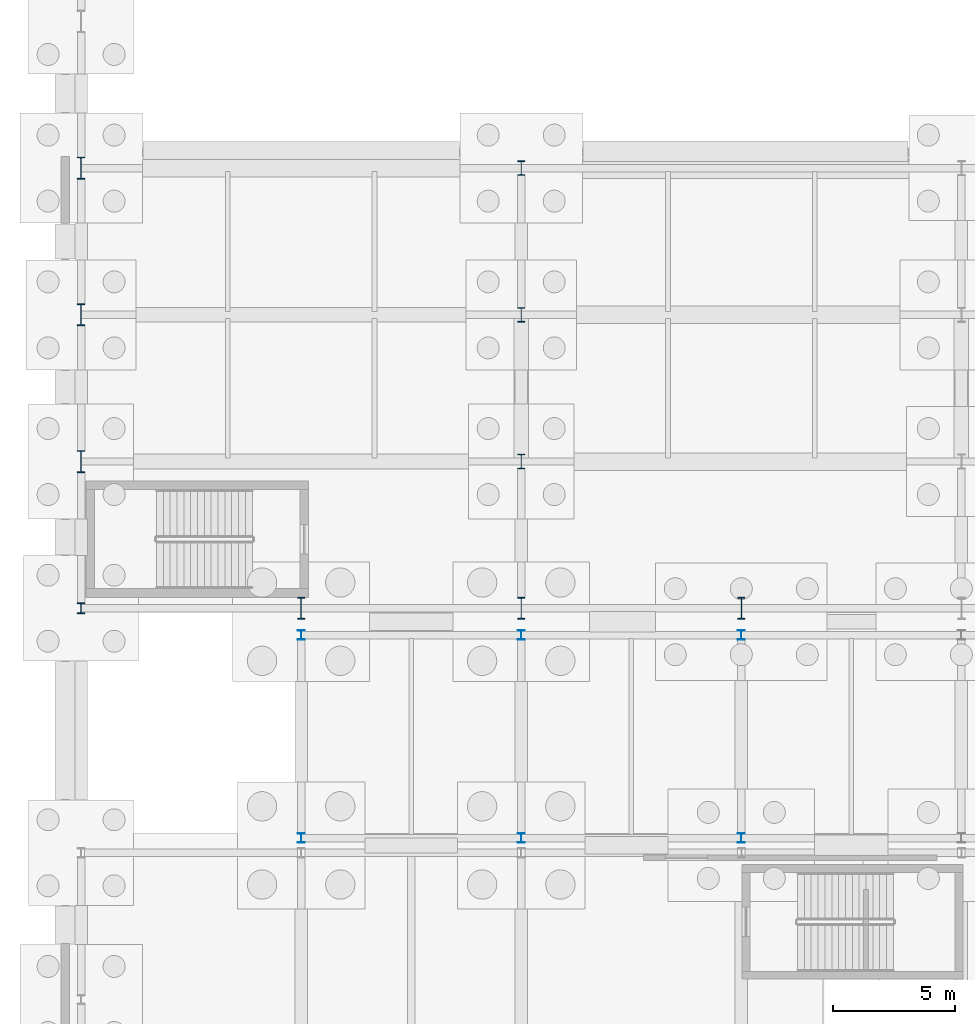
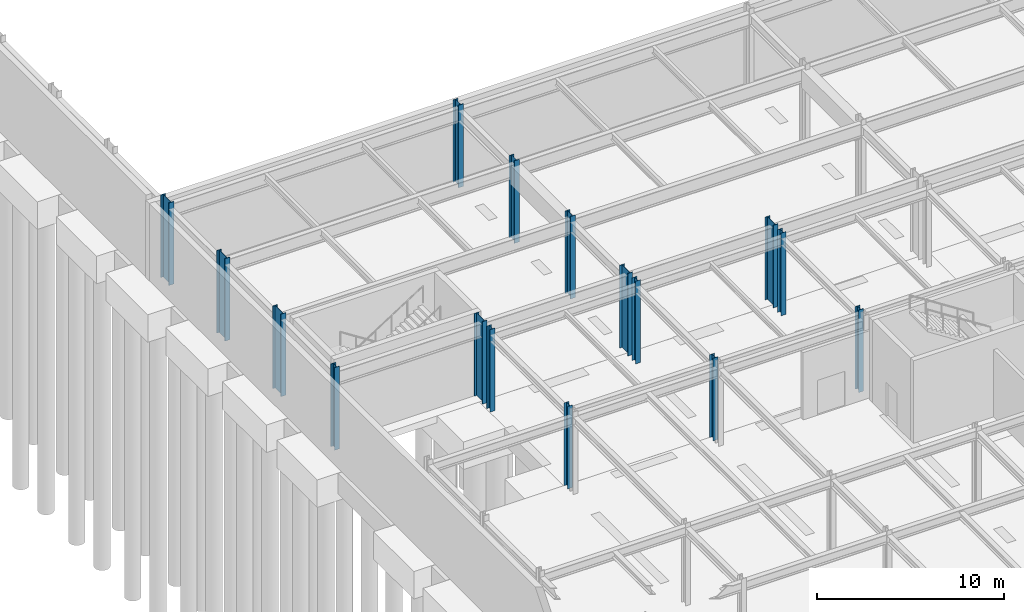
# One storey, part 15 of 65: 16 columns.
"""IFC4 building model written with IfcOpenShell, lengths in metres."""

import ifcopenshell
import ifcopenshell.guid

model = None  # the IFC model being written
_history = None  # IfcOwnerHistory: only IFC2X3 demands one
_inside = {}  # id of a spatial element -> (the spatial element, [elements in it])
_under = {}  # id of a project, library or spatial element -> (it, [spatial elements below it])
_declared = {}  # id of a project -> (the project, [libraries it declares])
_typed = {}  # id of a type object -> (the type object, [elements of that type])
_made_of = {}  # id of a material, layer set ... -> (it, [elements and type objects made of it])


def new_model(schema):
    """Start an empty IFC model of exactly this schema.

    Asked for "IFC4X3", IfcOpenShell would pick the latest addendum, in which some entities
    have other attributes; the version numbers below select the first issue.
    IFC2X3 requires an IfcOwnerHistory on every rooted entity: one is made here for all.
    """
    global model, _history
    if schema == "IFC4X3":
        model = ifcopenshell.file(schema_version=(4, 3, 0, 0))
    else:
        model = ifcopenshell.file(schema=schema)
    _inside.clear()
    _under.clear()
    _declared.clear()
    _typed.clear()
    _made_of.clear()
    _history = None
    if model.schema == "IFC2X3":
        org = make("IfcOrganization", Name="unknown")
        user = make(
            "IfcPersonAndOrganization",
            ThePerson=make("IfcPerson", FamilyName="unknown"),
            TheOrganization=org,
        )
        app = make(
            "IfcApplication",
            ApplicationDeveloper=org,
            Version="unknown",
            ApplicationFullName="unknown",
            ApplicationIdentifier="unknown",
        )
        _history = make(
            "IfcOwnerHistory",
            OwningUser=user,
            OwningApplication=app,
            ChangeAction="ADDED",
            CreationDate=0,
        )
    return model


def make(cls, **values):
    """One entity of the class cls with the attributes given. An attribute that is None is left unset."""
    return model.create_entity(
        cls, **{name: value for name, value in values.items() if value is not None}
    )


def rooted(cls, **values):
    """An entity with a GlobalId (a new one), such as an element, a storey or a relation."""
    return make(cls, GlobalId=ifcopenshell.guid.new(), OwnerHistory=_history, **values)


def si_unit(unit_type, name, prefix=None):
    """IfcSIUnit, for example si_unit("LENGTHUNIT", "METRE", prefix="MILLI")."""
    return make("IfcSIUnit", UnitType=unit_type, Prefix=prefix, Name=name)


def assignment(units):
    """IfcUnitAssignment: the units of a project."""
    return None if units is None else make("IfcUnitAssignment", Units=units)


def point(xyz):
    """IfcCartesianPoint."""
    return None if xyz is None else make("IfcCartesianPoint", Coordinates=xyz)


def direction(xyz):
    """IfcDirection."""
    return None if xyz is None else make("IfcDirection", DirectionRatios=xyz)


def frame(location, z_axis=None, x_axis=None):
    """IfcAxis2Placement3D, a coordinate frame: its origin and axes. An axis left out is left unset."""
    return make(
        "IfcAxis2Placement3D",
        Location=point(location),
        Axis=direction(z_axis),
        RefDirection=direction(x_axis),
    )


def frame_2d(location, x_axis=None):
    """IfcAxis2Placement2D, a coordinate frame in the plane: its origin and x axis."""
    return make(
        "IfcAxis2Placement2D", Location=point(location), RefDirection=direction(x_axis)
    )


def origin():
    """The frame at (0, 0, 0) with its axes left unset."""
    return frame((0.0, 0.0, 0.0))


def origin_2d():
    """The frame at (0, 0) in the plane with its x axis left unset."""
    return frame_2d((0.0, 0.0))


def place(relative_to, where):
    """IfcLocalPlacement: puts the frame where relative to a parent placement (None: the world)."""
    return make(
        "IfcLocalPlacement", PlacementRelTo=relative_to, RelativePlacement=where
    )


def context(
    kind, dimensions, precision=None, world=None, true_north=None, identifier=None
):
    """IfcGeometricRepresentationContext, for example the 3D "Model" context."""
    return make(
        "IfcGeometricRepresentationContext",
        ContextIdentifier=identifier,
        ContextType=kind,
        CoordinateSpaceDimension=dimensions,
        Precision=precision,
        WorldCoordinateSystem=world,
        TrueNorth=true_north,
    )


def subcontext(parent, identifier, kind, view, scale=None):
    """IfcGeometricRepresentationSubContext, for example "Body" below "Model"."""
    return make(
        "IfcGeometricRepresentationSubContext",
        ContextIdentifier=identifier,
        ContextType=kind,
        ParentContext=parent,
        TargetScale=scale,
        TargetView=view,
    )


def project(units=None, contexts=None):
    """IfcProject with its units and contexts."""
    return rooted(
        "IfcProject",
        Name="project",
        RepresentationContexts=contexts,
        UnitsInContext=assignment(units),
    )


def spatial(cls, under=None, at=None, **own):
    """A site, building, storey or space (cls), placed at a placement, below another one or the project."""
    s = rooted(cls, ObjectPlacement=at, **own)
    if under is not None:
        _under.setdefault(under.id(), (under, []))[1].append(s)
    return s


def profile(cls, at=None, kind="AREA", **sizes):
    """A parametric profile (cls). Its sizes go by their IFC names, for example OverallWidth=200.0."""
    return make(cls, ProfileType=kind, Position=at, **sizes)


def i_section(**sizes):
    """IfcIShapeProfileDef."""
    return profile("IfcIShapeProfileDef", **sizes)


def extrude(swept, where, along, depth):
    """IfcExtrudedAreaSolid: the profile swept, set in the frame where, extruded along a direction by depth."""
    return make(
        "IfcExtrudedAreaSolid",
        SweptArea=swept,
        Position=where,
        ExtrudedDirection=direction(along),
        Depth=depth,
    )


def shape(context_of_items, identifier, shape_type, items):
    """IfcShapeRepresentation: the items that make up one representation, for example the "Body"."""
    return make(
        "IfcShapeRepresentation",
        ContextOfItems=context_of_items,
        RepresentationIdentifier=identifier,
        RepresentationType=shape_type,
        Items=items,
    )


def material(Name=None, Category=None):
    """IfcMaterial."""
    return make("IfcMaterial", Name=Name, Category=Category)


def material_profile(
    of_material, cross_section, Name=None, Category=None, Priority=None
):
    """IfcMaterialProfile: a cross section and its material."""
    return make(
        "IfcMaterialProfile",
        Name=Name,
        Material=of_material,
        Profile=cross_section,
        Priority=Priority,
        Category=Category,
    )


def profile_set(profiles, Name=None, composite=None):
    """IfcMaterialProfileSet."""
    return make(
        "IfcMaterialProfileSet",
        Name=Name,
        MaterialProfiles=profiles,
        CompositeProfile=composite,
    )


def made_of(thing, what):
    """Note that an element or type object is made of a material, layer set ...; save() writes the relation."""
    if what is not None:
        _made_of.setdefault(what.id(), (what, []))[1].append(thing)
    return thing


def type_object(cls, material=None, **own):
    """A type object (cls), such as IfcWallType, which elements share."""
    return made_of(rooted(cls, **own), material)


def element(
    cls,
    number,
    at=None,
    inside=None,
    cuts=None,
    type_object=None,
    material=None,
    context=None,
    identifier="Body",
    shape_type=None,
    held_by="IfcProductDefinitionShape",
    body=None,
    shapes=None,
    **own,
):
    """One element of the class cls, such as IfcWall. Its Tag is "e" and its number.

    at: its placement. inside: the storey or other place that contains it. cuts: it is an
    opening in that element (IfcRelVoidsElement). A single representation is given by context,
    identifier, shape_type and body (its items); several are given by shapes. held_by: the class
    of the entity that holds the representations. save() writes the other relations.
    """
    e = rooted(cls, Tag="e%d" % number, ObjectPlacement=at, **own)
    if body is not None:
        shapes = [shape(context, identifier, shape_type, body)]
    if shapes is not None:
        e.Representation = make(held_by, Representations=shapes)
    if inside is not None:
        _inside.setdefault(inside.id(), (inside, []))[1].append(e)
    if cuts is not None:
        rooted(
            "IfcRelVoidsElement", RelatingBuildingElement=cuts, RelatedOpeningElement=e
        )
    if type_object is not None:
        _typed.setdefault(type_object.id(), (type_object, []))[1].append(e)
    return made_of(e, material)


def aggregate(whole, parts):
    """IfcRelAggregates: a whole, such as a stair, and the parts it consists of."""
    return rooted("IfcRelAggregates", RelatingObject=whole, RelatedObjects=parts)


def save(model, path):
    """Write the relations noted so far, then the file.

    IfcRelAggregates (storeys below a building ...), IfcRelContainedInSpatialStructure (elements
    in a storey), IfcRelDefinesByType, IfcRelAssociatesMaterial and IfcRelDeclares: one each for
    every whole, place, type object, material and project.
    """
    for whole, parts in _under.values():
        aggregate(whole, parts)
    for where, things in _inside.values():
        rooted(
            "IfcRelContainedInSpatialStructure",
            RelatedElements=things,
            RelatingStructure=where,
        )
    for kind, things in _typed.values():
        rooted("IfcRelDefinesByType", RelatedObjects=things, RelatingType=kind)
    for what, things in _made_of.values():
        rooted("IfcRelAssociatesMaterial", RelatedObjects=things, RelatingMaterial=what)
    for by, libraries in _declared.values():
        rooted("IfcRelDeclares", RelatingContext=by, RelatedDefinitions=libraries)
    model.write(path)


model = new_model("IFC4")

# Units and contexts
model_context = context("Model", 3, precision=1e-05, world=origin(), true_north=direction((0.0, 1.0)))
body_context = subcontext(model_context, "Body", "Model", "MODEL_VIEW")
ifc_project = project(units=[si_unit("LENGTHUNIT", "METRE"), si_unit("AREAUNIT", "SQUARE_METRE"), si_unit("VOLUMEUNIT", "CUBIC_METRE"), si_unit("PLANEANGLEUNIT", "RADIAN"), si_unit("MASSUNIT", "GRAM", prefix="KILO")], contexts=[model_context])

# Site, building, storey
site_placement = place(None, origin())
site = spatial("IfcSite", under=ifc_project, at=site_placement, CompositionType="ELEMENT")
building_placement = place(site_placement, origin())
building = spatial("IfcBuilding", under=site, at=building_placement, Name="Kaldris Quays Convention Centre", CompositionType="ELEMENT")
storey_placement = place(building_placement, frame((0.0, 0.0, -5.39990234375)))
storey = spatial("IfcBuildingStorey", under=building, at=storey_placement, Name="B1", CompositionType="ELEMENT", Elevation=-5.39990234375)

# Columns
ifc_material_1 = material(Name="Steel S460ML", Category="steel")
ifc_material_profile_1 = material_profile(ifc_material_1, i_section(OverallWidth=0.306884765625, OverallDepth=0.431884765625, WebThickness=0.02099609375, FlangeThickness=0.0400390625, FilletRadius=0.027099609375, at=origin_2d()), Name="HEM 400")
ifc_profile_set_1 = profile_set([ifc_material_profile_1], Name="Steel S460ML")
column_type_1 = type_object("IfcColumnType", Name="STRUCTURAL COLUMN CL01", PredefinedType="COLUMN", material=ifc_profile_set_1)
column_placement = place(storey_placement, frame((20.0, 56.0, 0.0), z_axis=(0.0, 0.0, 1.0), x_axis=(1.0, 0.0, 0.0)))
element("IfcColumn", 1, at=column_placement, inside=storey, type_object=column_type_1, Name="B1 V1 Column CL01 (20.00, 56.00)", PredefinedType="COLUMN", context=body_context, shape_type="SweptSolid", body=[
    extrude(i_section(OverallWidth=0.306884765625, OverallDepth=0.431884765625, WebThickness=0.02099609375, FlangeThickness=0.0400390625, FilletRadius=0.027099609375, at=origin_2d()), origin(), (0.0, 0.0, 1.0), 5.39990234375),
])
ifc_material_2 = material(Name="Steel S355J2", Category="steel")
ifc_material_profile_2 = material_profile(ifc_material_2, i_section(OverallWidth=0.300048828125, OverallDepth=0.89990234375, WebThickness=0.0185546875, FlangeThickness=0.034912109375, FilletRadius=0.030029296875, at=origin_2d()), Name="HEB 900")
ifc_profile_set_2 = profile_set([ifc_material_profile_2], Name="Steel S355J2")
column_type_2 = type_object("IfcColumnType", Name="STRUCTURAL COLUMN CL03", PredefinedType="COLUMN", material=ifc_profile_set_2)
for number, where, z_axis, x_axis, name in (
    (2, (20.0, 62.0, 0.0), (0.0, 0.0, 1.0), (1.0, 0.0, 0.0), "B1 V1 Column CL03 (20.00, 62.00)"),
    (3, (20.0, 68.0, 0.0), (0.0, 0.0, 1.0), (1.0, 0.0, 0.0), "B1 V1 Column CL03 (20.00, 68.00)"),
    (4, (20.0, 74.0, 0.0), (0.0, 0.0, 1.0), (1.0, 0.0, 0.0), "B1 V1 Column CL03 (20.00, 74.00)"),
    (5, (29.0, 56.0, 0.0), (0.0, 0.0, 1.0), (1.0, 0.0, 0.0), "B1 V1 Column CL03 (29.00, 56.00)"),
    (6, (38.0, 56.0, 0.0), (0.0, 0.0, 1.0), (1.0, 0.0, 0.0), "B1 V1 Column CL03 (38.00, 56.00)"),
    (7, (47.0, 56.0, 0.0), (0.0, 0.0, 1.0), (1.0, 0.0, 0.0), "B1 V1 Column CL03 (47.00, 56.00)"),
):
    element("IfcColumn", number, at=place(storey_placement, frame(where, z_axis=z_axis, x_axis=x_axis)), inside=storey, type_object=column_type_2, Name=name, PredefinedType="COLUMN", context=body_context, shape_type="SweptSolid", body=[
        extrude(i_section(OverallWidth=0.300048828125, OverallDepth=0.89990234375, WebThickness=0.0185546875, FlangeThickness=0.034912109375, FilletRadius=0.030029296875, at=origin_2d()), origin(), (0.0, 0.0, 1.0), 5.39990234375),
    ])
ifc_material_profile_3 = material_profile(ifc_material_2, i_section(OverallWidth=0.300048828125, OverallDepth=0.60009765625, WebThickness=0.015380859375, FlangeThickness=0.030029296875, FilletRadius=0.027099609375, at=origin_2d()), Name="HEB 600")
ifc_profile_set_3 = profile_set([ifc_material_profile_3], Name="Steel S355J2")
column_type_3 = type_object("IfcColumnType", Name="STRUCTURAL COLUMN CL06", PredefinedType="COLUMN", material=ifc_profile_set_3)
for number, where, z_axis, x_axis, name in (
    (8, (38.0, 62.0, 0.0), (0.0, 0.0, 1.0), (1.0, 0.0, 0.0), "B1 V1 Column CL06 (38.00, 62.00)"),
    (9, (38.0, 68.0, 0.0), (0.0, 0.0, 1.0), (1.0, 0.0, 0.0), "B1 V1 Column CL06 (38.00, 68.00)"),
    (10, (38.0, 74.0, 0.0), (0.0, 0.0, 1.0), (1.0, 0.0, 0.0), "B1 V1 Column CL06 (38.00, 74.00)"),
):
    element("IfcColumn", number, at=place(storey_placement, frame(where, z_axis=z_axis, x_axis=x_axis)), inside=storey, type_object=column_type_3, Name=name, PredefinedType="COLUMN", context=body_context, shape_type="SweptSolid", body=[
        extrude(i_section(OverallWidth=0.300048828125, OverallDepth=0.60009765625, WebThickness=0.015380859375, FlangeThickness=0.030029296875, FilletRadius=0.027099609375, at=origin_2d()), origin(), (0.0, 0.0, 1.0), 5.39990234375),
    ])
ifc_material_profile_4 = material_profile(ifc_material_2, i_section(OverallWidth=0.300048828125, OverallDepth=0.389892578125, WebThickness=0.010986328125, FlangeThickness=0.01904296875, FilletRadius=0.027099609375, at=origin_2d()), Name="HEA 400")
ifc_profile_set_4 = profile_set([ifc_material_profile_4], Name="Steel S355J2")
column_type_4 = type_object("IfcColumnType", Name="STRUCTURAL COLUMN CL12", PredefinedType="COLUMN", material=ifc_profile_set_4)
for number, where, z_axis, x_axis, name in (
    (11, (29.0, 46.60009765625, 0.0), (0.0, 0.0, 1.0), (1.0, 0.0, 0.0), "B1 V4 Column CL12 (29.00, 46.60)"),
    (12, (29.0, 54.89990234375, 0.0), (0.0, 0.0, 1.0), (1.0, 0.0, 0.0), "B1 V4 Column CL12 (29.00, 54.90)"),
    (13, (38.0, 46.60009765625, 0.0), (0.0, 0.0, 1.0), (1.0, 0.0, 0.0), "B1 V4 Column CL12 (38.00, 46.60)"),
    (14, (38.0, 54.89990234375, 0.0), (0.0, 0.0, 1.0), (1.0, 0.0, 0.0), "B1 V4 Column CL12 (38.00, 54.90)"),
    (15, (47.0, 46.60009765625, 0.0), (0.0, 0.0, 1.0), (1.0, 0.0, 0.0), "B1 V4 Column CL12 (47.00, 46.60)"),
    (16, (47.0, 54.89990234375, 0.0), (0.0, 0.0, 1.0), (1.0, 0.0, 0.0), "B1 V4 Column CL12 (47.00, 54.90)"),
):
    element("IfcColumn", number, at=place(storey_placement, frame(where, z_axis=z_axis, x_axis=x_axis)), inside=storey, type_object=column_type_4, Name=name, PredefinedType="COLUMN", context=body_context, shape_type="SweptSolid", body=[
        extrude(i_section(OverallWidth=0.300048828125, OverallDepth=0.389892578125, WebThickness=0.010986328125, FlangeThickness=0.01904296875, FilletRadius=0.027099609375, at=origin_2d()), origin(), (0.0, 0.0, 1.0), 5.39990234375),
    ])

save(model, "model.ifc")
